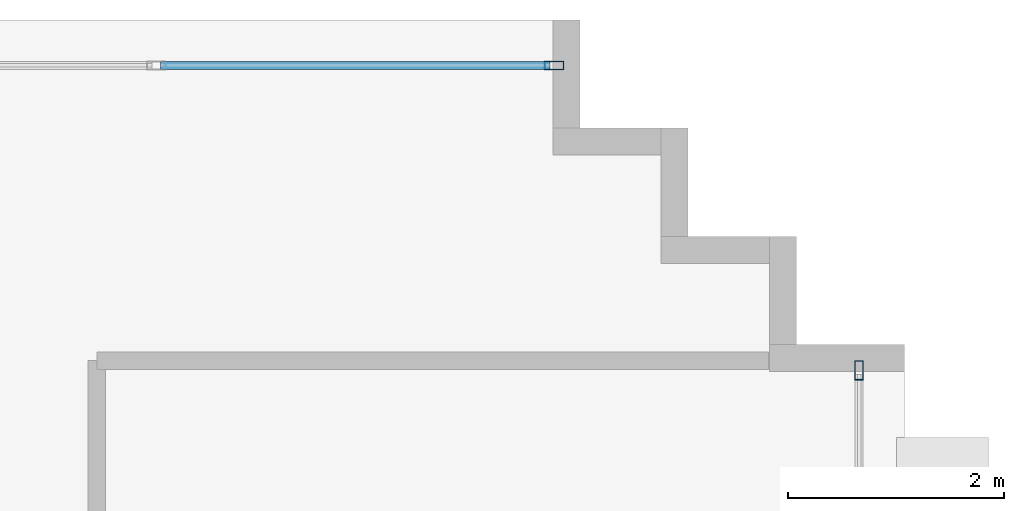
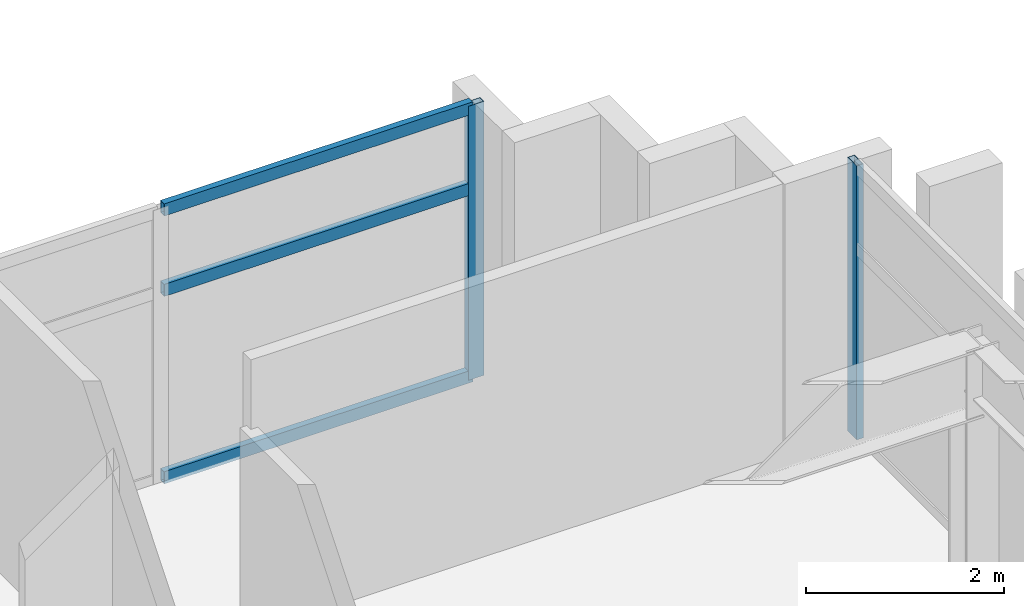
# One storey, part 12 of 17: 5 members, 2 elements without a shape of their own.
"""IFC4 building model written with IfcOpenShell, lengths in metres."""

from ifc_helpers import new_model, si_unit, direction, frame, origin, origin_2d, place, context, subcontext, project, spatial, hollow_rectangle, extrude, source, transform, mapped, material, layer, layer_set, material_profile, profile_set, type_object, element, aggregate, save


model = new_model("IFC4")

# Units and contexts
model_context = context("Model", 3, precision=1e-05, world=origin(), true_north=direction((0.0, 1.0)))
body_context = subcontext(model_context, "Body", "Model", "MODEL_VIEW")
ifc_project = project(units=[si_unit("LENGTHUNIT", "METRE"), si_unit("AREAUNIT", "SQUARE_METRE"), si_unit("VOLUMEUNIT", "CUBIC_METRE"), si_unit("PLANEANGLEUNIT", "RADIAN"), si_unit("MASSUNIT", "GRAM", prefix="KILO")], contexts=[model_context])

# Site, building, storey
site_placement = place(None, origin())
site = spatial("IfcSite", under=ifc_project, at=site_placement, CompositionType="ELEMENT")
building_placement = place(site_placement, origin())
building = spatial("IfcBuilding", under=site, at=building_placement, Name="Ocotamira Hotel", CompositionType="ELEMENT")
storey_placement = place(building_placement, frame((0.0, 0.0, 272.39990234375)))
storey = spatial("IfcBuildingStorey", under=building, at=storey_placement, Name="L69", CompositionType="ELEMENT", Elevation=272.39990234375)

# Curtain wall, member
ifc_material_1 = material(Name="Anodised pale-metal aluminium and solar glass", Category="aluminium")
ifc_layer = layer(ifc_material_1, 0.2099609375)
ifc_layer_set = layer_set([ifc_layer], Name="Anodised pale-metal aluminium and solar glass")
curtain_wall_type = type_object("IfcCurtainWallType", Name="CW-SYS7-PEAK", PredefinedType="NOTDEFINED", material=ifc_layer_set)
curtain_wall_1_placement = place(storey_placement, origin())
curtain_wall_1 = element("IfcCurtainWall", 1, at=curtain_wall_1_placement, inside=storey, type_object=curtain_wall_type, Name="L69 Curtain Wall CW-7 CW-L69-N", PredefinedType="NOTDEFINED")
ifc_material_2 = material(Name="Anodised pale-metal aluminium 6063-T6", Category="aluminium")
ifc_material_profile_1 = material_profile(ifc_material_2, hollow_rectangle(XDim=0.080078125, YDim=0.179931640625, WallThickness=0.006103515625, at=origin_2d()), Name="HSS180X80X6")
ifc_profile_set_1 = profile_set([ifc_material_profile_1], Name="Anodised pale-metal aluminium 6063-T6")
member_type_1 = type_object("IfcMemberType", Name="CWM-180X75", PredefinedType="MULLION", material=ifc_profile_set_1)
shared_shape_1 = source(origin(), body_context, "Body", "SweptSolid", [
    extrude(hollow_rectangle(XDim=0.080078125, YDim=0.179931640625, WallThickness=0.006103515625, at=origin_2d()), origin(), (0.0, 0.0, 1.0), 3.380126953125),
])
member_1_placement = place(storey_placement, frame((29.760009765625, 43.580078125, 0.0), z_axis=(0.0, 0.0, 1.0), x_axis=(0.0, 1.0, 0.0)))
member_1 = element("IfcMember", 2, at=member_1_placement, type_object=member_type_1, Name="CW-7 mullion 6", PredefinedType="MULLION", context=body_context, shape_type="MappedRepresentation", body=[
    mapped(shared_shape_1, transform((0.0, 0.0, 0.0), scale=1.0)),
])

curtain_wall_2_placement = place(storey_placement, origin())
curtain_wall_2 = element("IfcCurtainWall", 3, at=curtain_wall_2_placement, inside=storey, type_object=curtain_wall_type, Name="L69 Curtain Wall CW-7 CW-L69-E2", PredefinedType="NOTDEFINED")
member_2_placement = place(storey_placement, frame((32.580078125, 40.760009765625, 0.0), z_axis=(0.0, 0.0, 1.0), x_axis=(-1.0, 0.0, 0.0)))
member_2 = element("IfcMember", 4, at=member_2_placement, type_object=member_type_1, Name="CW-7 mullion 4", PredefinedType="MULLION", context=body_context, shape_type="MappedRepresentation", body=[
    mapped(shared_shape_1, transform((0.0, 0.0, 0.0), scale=1.0)),
])
aggregate(curtain_wall_2, [member_2])

# Member
ifc_material_profile_2 = material_profile(ifc_material_2, hollow_rectangle(XDim=0.074951171875, YDim=0.14990234375, WallThickness=0.006103515625, at=origin_2d()), Name="HSS150X75X6")
ifc_profile_set_2 = profile_set([ifc_material_profile_2], Name="Anodised pale-metal aluminium 6063-T6")
member_type_2 = type_object("IfcMemberType", Name="CWT-150X75", PredefinedType="USERDEFINED", material=ifc_profile_set_2)
shared_shape_2 = source(origin(), body_context, "Body", "SweptSolid", [
    extrude(hollow_rectangle(XDim=0.074951171875, YDim=0.14990234375, WallThickness=0.006103515625, at=origin_2d()), origin(), (0.0, 0.0, 1.0), 3.599853515625),
])
member_3_placement = place(storey_placement, frame((26.1201171875, 43.580078125, 0.03759765625), z_axis=(1.0, 0.0, 0.0), x_axis=(0.0, 1.0, 0.0)))
member_3 = element("IfcMember", 5, at=member_3_placement, type_object=member_type_2, Name="CW-7 transom 5.1", ObjectType="TRANSOM", PredefinedType="USERDEFINED", context=body_context, shape_type="MappedRepresentation", body=[
    mapped(shared_shape_2, transform((0.0, 0.0, 0.0), scale=1.0)),
])

member_4_placement = place(storey_placement, frame((26.1201171875, 43.580078125, 2.35009765625), z_axis=(1.0, 0.0, 0.0), x_axis=(0.0, 1.0, 0.0)))
member_4 = element("IfcMember", 6, at=member_4_placement, type_object=member_type_2, Name="CW-7 transom 5.2", ObjectType="TRANSOM", PredefinedType="USERDEFINED", context=body_context, shape_type="MappedRepresentation", body=[
    mapped(shared_shape_2, transform((0.0, 0.0, 0.0), scale=1.0)),
])

member_5_placement = place(storey_placement, frame((26.1201171875, 43.580078125, 3.342529296875), z_axis=(1.0, 0.0, 0.0), x_axis=(0.0, 1.0, 0.0)))
member_5 = element("IfcMember", 7, at=member_5_placement, type_object=member_type_2, Name="CW-7 transom 5.3", ObjectType="TRANSOM", PredefinedType="USERDEFINED", context=body_context, shape_type="MappedRepresentation", body=[
    mapped(shared_shape_2, transform((0.0, 0.0, 0.0), scale=1.0)),
])

aggregate(curtain_wall_1, [member_1, member_3, member_4, member_5])

save(model, "model.ifc")
